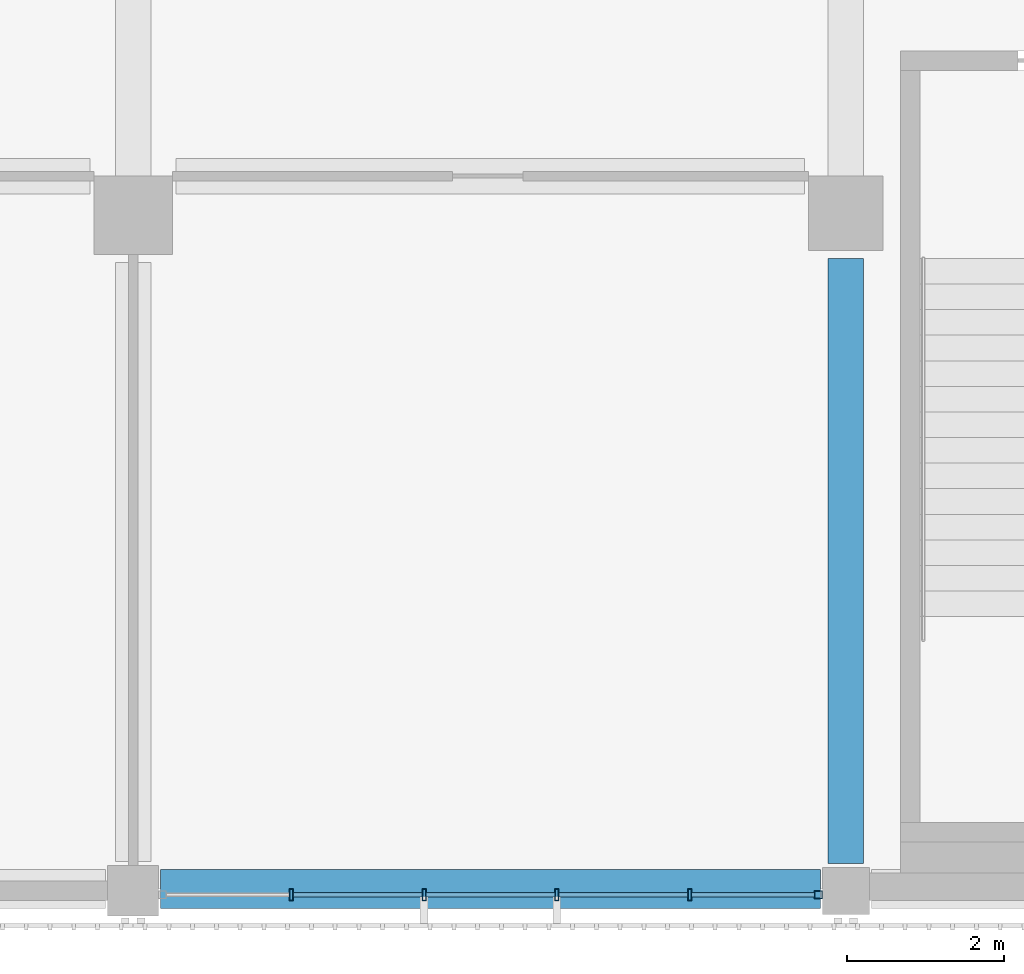
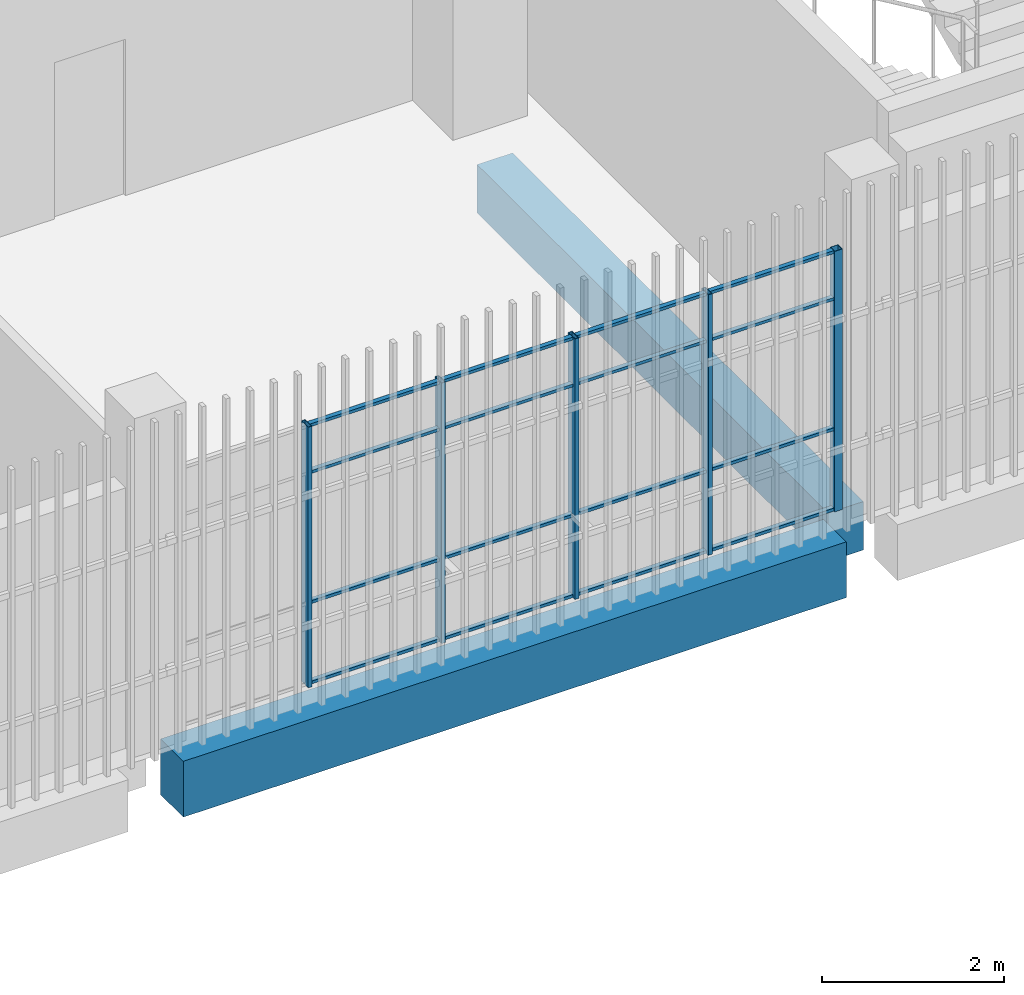
# One storey, part 8 of 126: 21 members, 2 beams, 1 element without a shape of its own.
"""IFC4 building model written with IfcOpenShell, lengths in metres."""

from ifc_helpers import new_model, si_unit, direction, frame, origin, origin_2d, place, context, subcontext, project, spatial, rectangle, hollow_rectangle, extrude, material, layer, layer_set, material_profile, profile_set, type_object, element, aggregate, save


model = new_model("IFC4")

# Units and contexts
model_context = context("Model", 3, precision=1e-05, world=origin(), true_north=direction((0.0, 1.0)))
body_context = subcontext(model_context, "Body", "Model", "MODEL_VIEW")
ifc_project = project(units=[si_unit("LENGTHUNIT", "METRE"), si_unit("AREAUNIT", "SQUARE_METRE"), si_unit("VOLUMEUNIT", "CUBIC_METRE"), si_unit("PLANEANGLEUNIT", "RADIAN"), si_unit("MASSUNIT", "GRAM", prefix="KILO")], contexts=[model_context])

# Site, building, storey
site_placement = place(None, origin())
site = spatial("IfcSite", under=ifc_project, at=site_placement, CompositionType="ELEMENT")
building_placement = place(site_placement, origin())
building = spatial("IfcBuilding", under=site, at=building_placement, Name="Shirokan Park Arena", CompositionType="ELEMENT")
storey_placement = place(building_placement, frame((0.0, 0.0, 6.3701171875)))
storey = spatial("IfcBuildingStorey", under=building, at=storey_placement, Name="L01", CompositionType="ELEMENT", Elevation=6.3701171875)

# Curtain wall, members
ifc_material_1 = material(Name="Steel and glass curtain wall", Category="steel")
ifc_layer = layer(ifc_material_1, 0.14990234375)
ifc_layer_set = layer_set([ifc_layer], Name="Steel and glass curtain wall 150 mm")
curtain_wall_type = type_object("IfcCurtainWallType", Name="Curtain wall exposed bay 150", PredefinedType="NOTDEFINED", material=ifc_layer_set)
curtain_wall_placement = place(storey_placement, origin())
curtain_wall = element("IfcCurtainWall", 1, at=curtain_wall_placement, inside=storey, type_object=curtain_wall_type, Name="Curtain wall south bay 6 L01", PredefinedType="NOTDEFINED")
ifc_material_2 = material(Name="Steel S355", Category="steel")
ifc_material_profile_1 = material_profile(ifc_material_2, hollow_rectangle(XDim=0.10009765625, YDim=0.10009765625, WallThickness=0.006103515625, at=origin_2d()), Name="RHS 100x100x6")
ifc_profile_set_1 = profile_set([ifc_material_profile_1], Name="Steel S355")
member_type_1 = type_object("IfcMemberType", Name="Mullion RHS 100x100x6", PredefinedType="MULLION", material=ifc_profile_set_1)
member_1_placement = place(storey_placement, frame((54.25, -0.074951171875, 0.0), z_axis=(0.0, 0.0, 1.0), x_axis=(0.0, 1.0, 0.0)))
member_1 = element("IfcMember", 2, at=member_1_placement, type_object=member_type_1, Name="CW1 mullion 6", PredefinedType="MULLION", context=body_context, shape_type="SweptSolid", body=[
    extrude(hollow_rectangle(XDim=0.10009765625, YDim=0.10009765625, WallThickness=0.006103515625, at=origin_2d()), origin(), (0.0, 0.0, 1.0), 3.5),
])
ifc_material_profile_2 = material_profile(ifc_material_2, hollow_rectangle(XDim=0.14990234375, YDim=0.050048828125, WallThickness=0.006103515625, at=origin_2d()), Name="RHS 150x50x6")
ifc_profile_set_2 = profile_set([ifc_material_profile_2], Name="Steel S355")
member_type_2 = type_object("IfcMemberType", Name="Mullion RHS 150x50x6", PredefinedType="MULLION", material=ifc_profile_set_2)
member_2_placement = place(storey_placement, frame((47.52001953125, -0.074951171875, 0.0), z_axis=(0.0, 0.0, 1.0), x_axis=(0.0, 1.0, 0.0)))
member_2 = element("IfcMember", 3, at=member_2_placement, type_object=member_type_2, Name="CW1 mullion 2", PredefinedType="MULLION", context=body_context, shape_type="SweptSolid", body=[
    extrude(hollow_rectangle(XDim=0.14990234375, YDim=0.050048828125, WallThickness=0.006103515625, at=origin_2d()), origin(), (0.0, 0.0, 1.0), 3.5),
])
member_3_placement = place(storey_placement, frame((49.215087890625, -0.074951171875, 0.0), z_axis=(0.0, 0.0, 1.0), x_axis=(0.0, 1.0, 0.0)))
member_3 = element("IfcMember", 4, at=member_3_placement, type_object=member_type_2, Name="CW1 mullion 3", PredefinedType="MULLION", context=body_context, shape_type="SweptSolid", body=[
    extrude(hollow_rectangle(XDim=0.14990234375, YDim=0.050048828125, WallThickness=0.006103515625, at=origin_2d()), origin(), (0.0, 0.0, 1.0), 3.5),
])
member_4_placement = place(storey_placement, frame((50.909912109375, -0.074951171875, 0.0), z_axis=(0.0, 0.0, 1.0), x_axis=(0.0, 1.0, 0.0)))
member_4 = element("IfcMember", 5, at=member_4_placement, type_object=member_type_2, Name="CW1 mullion 4", PredefinedType="MULLION", context=body_context, shape_type="SweptSolid", body=[
    extrude(hollow_rectangle(XDim=0.14990234375, YDim=0.050048828125, WallThickness=0.006103515625, at=origin_2d()), origin(), (0.0, 0.0, 1.0), 3.5),
])
member_5_placement = place(storey_placement, frame((52.60498046875, -0.074951171875, 0.0), z_axis=(0.0, 0.0, 1.0), x_axis=(0.0, 1.0, 0.0)))
member_5 = element("IfcMember", 6, at=member_5_placement, type_object=member_type_2, Name="CW1 mullion 5", PredefinedType="MULLION", context=body_context, shape_type="SweptSolid", body=[
    extrude(hollow_rectangle(XDim=0.14990234375, YDim=0.050048828125, WallThickness=0.006103515625, at=origin_2d()), origin(), (0.0, 0.0, 1.0), 3.5),
])

# Beams
ifc_material_3 = material(Name="Concrete C35", Category="concrete")
ifc_material_profile_3 = material_profile(ifc_material_3, rectangle(XDim=0.449951171875, YDim=0.64990234375, at=origin_2d()), Name="450x650")
ifc_profile_set_3 = profile_set([ifc_material_profile_3], Name="Concrete C35")
beam_type_1 = type_object("IfcBeamType", Name="RC girder 450x650", PredefinedType="BEAM", material=ifc_profile_set_3)
beam_1_placement = place(storey_placement, frame((54.60009765625, 0.3251953125, -0.675048828125), z_axis=(0.0, 1.0, 0.0), x_axis=(-1.0, 0.0, 0.0)))
element("IfcBeam", 7, at=beam_1_placement, inside=storey, type_object=beam_type_1, Name="Girder 7A-7B L01", PredefinedType="BEAM", context=body_context, shape_type="SweptSolid", body=[
    extrude(rectangle(XDim=0.449951171875, YDim=0.64990234375, at=origin_2d()), origin(), (0.0, 0.0, 1.0), 7.724609375),
])
ifc_material_profile_4 = material_profile(ifc_material_3, rectangle(XDim=0.5, YDim=0.75, at=origin_2d()), Name="500x750")
ifc_profile_set_4 = profile_set([ifc_material_profile_4], Name="Concrete C35")
beam_type_2 = type_object("IfcBeamType", Name="RC girder 500x750", PredefinedType="BEAM", material=ifc_profile_set_4)
beam_2_placement = place(storey_placement, frame((45.85009765625, 0.0, -0.72509765625), z_axis=(1.0, 0.0, 0.0), x_axis=(0.0, 1.0, 0.0)))
element("IfcBeam", 8, at=beam_2_placement, inside=storey, type_object=beam_type_2, Name="Girder 6A-7A L01", PredefinedType="BEAM", context=body_context, shape_type="SweptSolid", body=[
    extrude(rectangle(XDim=0.5, YDim=0.75, at=origin_2d()), origin(), (0.0, 0.0, 1.0), 8.4248046875),
])

# Member
ifc_material_profile_5 = material_profile(ifc_material_2, hollow_rectangle(XDim=0.06005859375, YDim=0.0400390625, WallThickness=0.00390625, at=origin_2d()), Name="RHS 60x40x4")
ifc_profile_set_5 = profile_set([ifc_material_profile_5], Name="Steel S355")
member_type_3 = type_object("IfcMemberType", Name="Transom RHS 60x40x4", PredefinedType="MULLION", material=ifc_profile_set_5)
member_6_placement = place(storey_placement, frame((47.544921875, -0.074951171875, 0.019775390625), z_axis=(1.0, 0.0, 0.0), x_axis=(0.0, 1.0, 0.0)))
member_6 = element("IfcMember", 9, at=member_6_placement, type_object=member_type_3, Name="CW1 transom 2.1", PredefinedType="MULLION", context=body_context, shape_type="SweptSolid", body=[
    extrude(hollow_rectangle(XDim=0.06005859375, YDim=0.0400390625, WallThickness=0.00390625, at=origin_2d()), origin(), (0.0, 0.0, 1.0), 1.64501953125),
])

member_7_placement = place(storey_placement, frame((47.544921875, -0.074951171875, 1.099853515625), z_axis=(1.0, 0.0, 0.0), x_axis=(0.0, 1.0, 0.0)))
member_7 = element("IfcMember", 10, at=member_7_placement, type_object=member_type_3, Name="CW1 transom 2.2", PredefinedType="MULLION", context=body_context, shape_type="SweptSolid", body=[
    extrude(hollow_rectangle(XDim=0.06005859375, YDim=0.0400390625, WallThickness=0.00390625, at=origin_2d()), origin(), (0.0, 0.0, 1.0), 1.64501953125),
])

member_8_placement = place(storey_placement, frame((47.544921875, -0.074951171875, 2.849853515625), z_axis=(1.0, 0.0, 0.0), x_axis=(0.0, 1.0, 0.0)))
member_8 = element("IfcMember", 11, at=member_8_placement, type_object=member_type_3, Name="CW1 transom 2.3", PredefinedType="MULLION", context=body_context, shape_type="SweptSolid", body=[
    extrude(hollow_rectangle(XDim=0.06005859375, YDim=0.0400390625, WallThickness=0.00390625, at=origin_2d()), origin(), (0.0, 0.0, 1.0), 1.64501953125),
])

member_9_placement = place(storey_placement, frame((47.544921875, -0.074951171875, 3.47998046875), z_axis=(1.0, 0.0, 0.0), x_axis=(0.0, 1.0, 0.0)))
member_9 = element("IfcMember", 12, at=member_9_placement, type_object=member_type_3, Name="CW1 transom 2.4", PredefinedType="MULLION", context=body_context, shape_type="SweptSolid", body=[
    extrude(hollow_rectangle(XDim=0.06005859375, YDim=0.0400390625, WallThickness=0.00390625, at=origin_2d()), origin(), (0.0, 0.0, 1.0), 1.64501953125),
])

member_10_placement = place(storey_placement, frame((49.239990234375, -0.074951171875, 0.019775390625), z_axis=(1.0, 0.0, 0.0), x_axis=(0.0, 1.0, 0.0)))
member_10 = element("IfcMember", 13, at=member_10_placement, type_object=member_type_3, Name="CW1 transom 3.1", PredefinedType="MULLION", context=body_context, shape_type="SweptSolid", body=[
    extrude(hollow_rectangle(XDim=0.06005859375, YDim=0.0400390625, WallThickness=0.00390625, at=origin_2d()), origin(), (0.0, 0.0, 1.0), 1.64501953125),
])

member_11_placement = place(storey_placement, frame((49.239990234375, -0.074951171875, 1.099853515625), z_axis=(1.0, 0.0, 0.0), x_axis=(0.0, 1.0, 0.0)))
member_11 = element("IfcMember", 14, at=member_11_placement, type_object=member_type_3, Name="CW1 transom 3.2", PredefinedType="MULLION", context=body_context, shape_type="SweptSolid", body=[
    extrude(hollow_rectangle(XDim=0.06005859375, YDim=0.0400390625, WallThickness=0.00390625, at=origin_2d()), origin(), (0.0, 0.0, 1.0), 1.64501953125),
])

member_12_placement = place(storey_placement, frame((49.239990234375, -0.074951171875, 2.849853515625), z_axis=(1.0, 0.0, 0.0), x_axis=(0.0, 1.0, 0.0)))
member_12 = element("IfcMember", 15, at=member_12_placement, type_object=member_type_3, Name="CW1 transom 3.3", PredefinedType="MULLION", context=body_context, shape_type="SweptSolid", body=[
    extrude(hollow_rectangle(XDim=0.06005859375, YDim=0.0400390625, WallThickness=0.00390625, at=origin_2d()), origin(), (0.0, 0.0, 1.0), 1.64501953125),
])

member_13_placement = place(storey_placement, frame((49.239990234375, -0.074951171875, 3.47998046875), z_axis=(1.0, 0.0, 0.0), x_axis=(0.0, 1.0, 0.0)))
member_13 = element("IfcMember", 16, at=member_13_placement, type_object=member_type_3, Name="CW1 transom 3.4", PredefinedType="MULLION", context=body_context, shape_type="SweptSolid", body=[
    extrude(hollow_rectangle(XDim=0.06005859375, YDim=0.0400390625, WallThickness=0.00390625, at=origin_2d()), origin(), (0.0, 0.0, 1.0), 1.64501953125),
])

member_14_placement = place(storey_placement, frame((50.93505859375, -0.074951171875, 0.019775390625), z_axis=(1.0, 0.0, 0.0), x_axis=(0.0, 1.0, 0.0)))
member_14 = element("IfcMember", 17, at=member_14_placement, type_object=member_type_3, Name="CW1 transom 4.1", PredefinedType="MULLION", context=body_context, shape_type="SweptSolid", body=[
    extrude(hollow_rectangle(XDim=0.06005859375, YDim=0.0400390625, WallThickness=0.00390625, at=origin_2d()), origin(), (0.0, 0.0, 1.0), 1.64501953125),
])

member_15_placement = place(storey_placement, frame((50.93505859375, -0.074951171875, 1.099853515625), z_axis=(1.0, 0.0, 0.0), x_axis=(0.0, 1.0, 0.0)))
member_15 = element("IfcMember", 18, at=member_15_placement, type_object=member_type_3, Name="CW1 transom 4.2", PredefinedType="MULLION", context=body_context, shape_type="SweptSolid", body=[
    extrude(hollow_rectangle(XDim=0.06005859375, YDim=0.0400390625, WallThickness=0.00390625, at=origin_2d()), origin(), (0.0, 0.0, 1.0), 1.64501953125),
])

member_16_placement = place(storey_placement, frame((50.93505859375, -0.074951171875, 2.849853515625), z_axis=(1.0, 0.0, 0.0), x_axis=(0.0, 1.0, 0.0)))
member_16 = element("IfcMember", 19, at=member_16_placement, type_object=member_type_3, Name="CW1 transom 4.3", PredefinedType="MULLION", context=body_context, shape_type="SweptSolid", body=[
    extrude(hollow_rectangle(XDim=0.06005859375, YDim=0.0400390625, WallThickness=0.00390625, at=origin_2d()), origin(), (0.0, 0.0, 1.0), 1.64501953125),
])

member_17_placement = place(storey_placement, frame((50.93505859375, -0.074951171875, 3.47998046875), z_axis=(1.0, 0.0, 0.0), x_axis=(0.0, 1.0, 0.0)))
member_17 = element("IfcMember", 20, at=member_17_placement, type_object=member_type_3, Name="CW1 transom 4.4", PredefinedType="MULLION", context=body_context, shape_type="SweptSolid", body=[
    extrude(hollow_rectangle(XDim=0.06005859375, YDim=0.0400390625, WallThickness=0.00390625, at=origin_2d()), origin(), (0.0, 0.0, 1.0), 1.64501953125),
])

member_18_placement = place(storey_placement, frame((52.6298828125, -0.074951171875, 0.019775390625), z_axis=(1.0, 0.0, 0.0), x_axis=(0.0, 1.0, 0.0)))
member_18 = element("IfcMember", 21, at=member_18_placement, type_object=member_type_3, Name="CW1 transom 5.1", PredefinedType="MULLION", context=body_context, shape_type="SweptSolid", body=[
    extrude(hollow_rectangle(XDim=0.06005859375, YDim=0.0400390625, WallThickness=0.00390625, at=origin_2d()), origin(), (0.0, 0.0, 1.0), 1.570068359375),
])

member_19_placement = place(storey_placement, frame((52.6298828125, -0.074951171875, 1.099853515625), z_axis=(1.0, 0.0, 0.0), x_axis=(0.0, 1.0, 0.0)))
member_19 = element("IfcMember", 22, at=member_19_placement, type_object=member_type_3, Name="CW1 transom 5.2", PredefinedType="MULLION", context=body_context, shape_type="SweptSolid", body=[
    extrude(hollow_rectangle(XDim=0.06005859375, YDim=0.0400390625, WallThickness=0.00390625, at=origin_2d()), origin(), (0.0, 0.0, 1.0), 1.570068359375),
])

member_20_placement = place(storey_placement, frame((52.6298828125, -0.074951171875, 2.849853515625), z_axis=(1.0, 0.0, 0.0), x_axis=(0.0, 1.0, 0.0)))
member_20 = element("IfcMember", 23, at=member_20_placement, type_object=member_type_3, Name="CW1 transom 5.3", PredefinedType="MULLION", context=body_context, shape_type="SweptSolid", body=[
    extrude(hollow_rectangle(XDim=0.06005859375, YDim=0.0400390625, WallThickness=0.00390625, at=origin_2d()), origin(), (0.0, 0.0, 1.0), 1.570068359375),
])

member_21_placement = place(storey_placement, frame((52.6298828125, -0.074951171875, 3.47998046875), z_axis=(1.0, 0.0, 0.0), x_axis=(0.0, 1.0, 0.0)))
member_21 = element("IfcMember", 24, at=member_21_placement, type_object=member_type_3, Name="CW1 transom 5.4", PredefinedType="MULLION", context=body_context, shape_type="SweptSolid", body=[
    extrude(hollow_rectangle(XDim=0.06005859375, YDim=0.0400390625, WallThickness=0.00390625, at=origin_2d()), origin(), (0.0, 0.0, 1.0), 1.570068359375),
])

aggregate(curtain_wall, [member_2, member_3, member_4, member_5, member_1, member_6, member_7, member_8, member_9, member_10, member_11, member_12, member_13, member_14, member_15, member_16, member_17, member_18, member_19, member_20, member_21])

save(model, "model.ifc")
